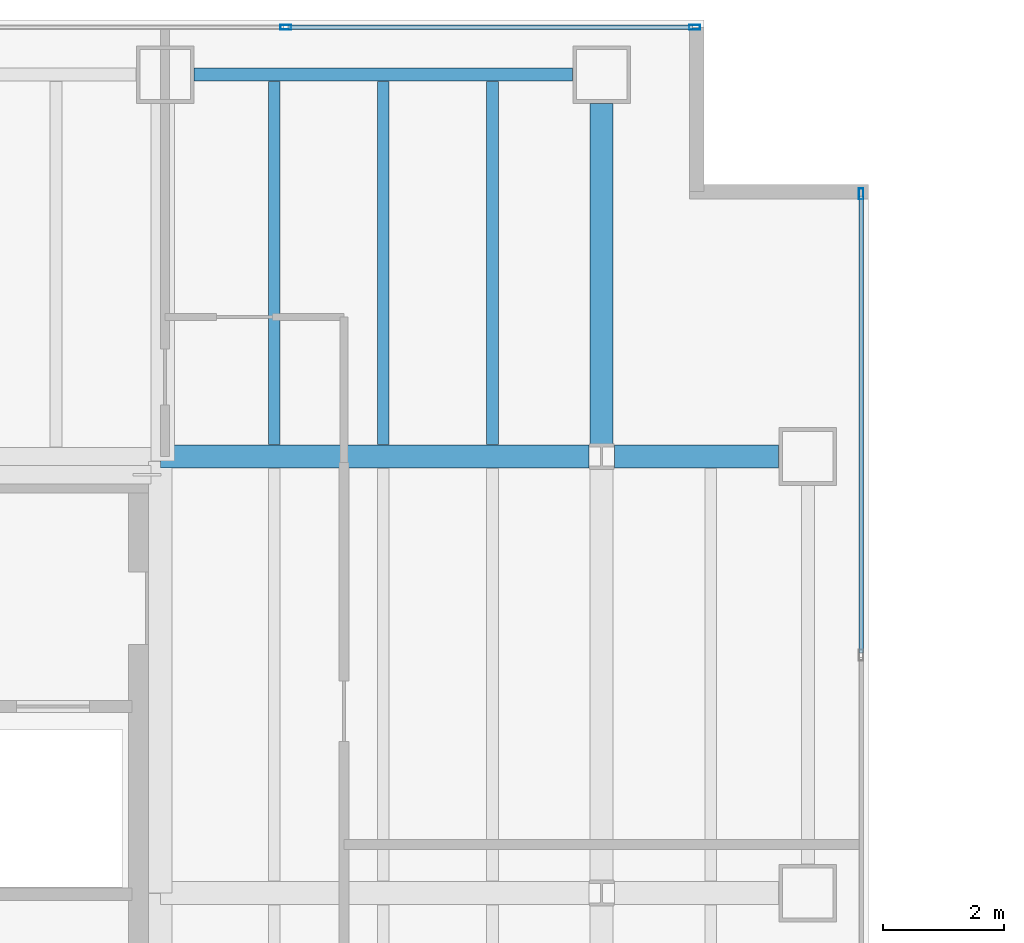
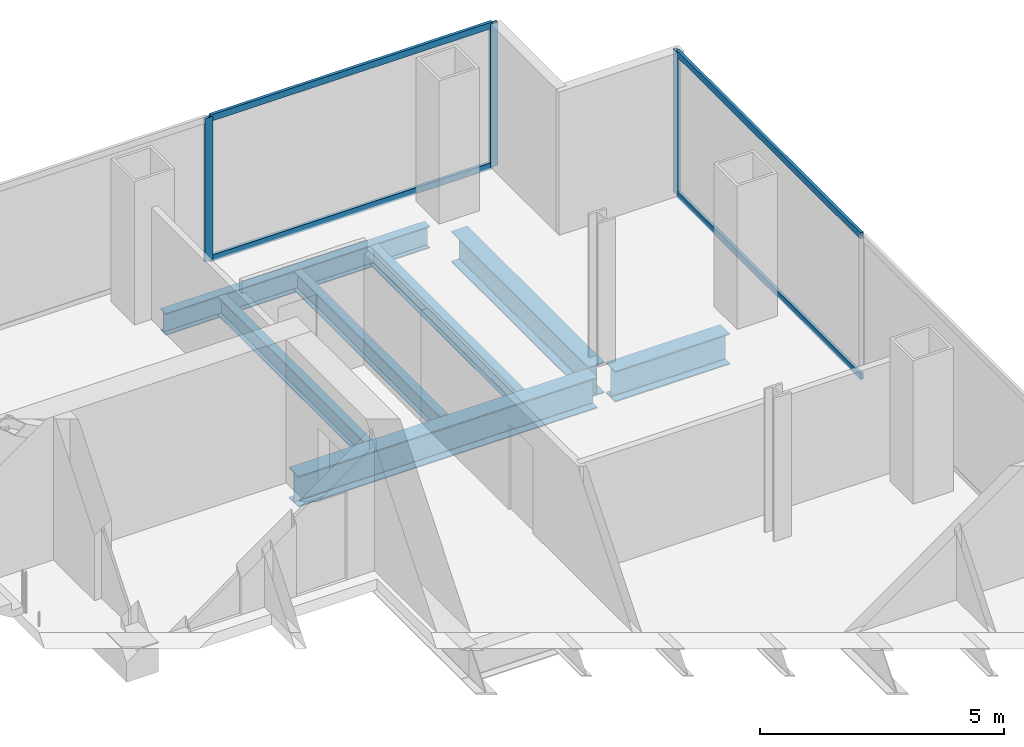
# One storey, part 18 of 23: 7 beams, 7 members, 2 elements without a shape of their own.
"""IFC4 building model written with IfcOpenShell, lengths in metres."""

from ifc_helpers import new_model, si_unit, direction, frame, origin, origin_2d, place, context, subcontext, project, spatial, hollow_rectangle, i_section, extrude, material, material_profile, profile_set, type_object, element, aggregate, save


model = new_model("IFC4")

# Units and contexts
model_context = context("Model", 3, precision=1e-05, world=origin(), true_north=direction((0.0, 1.0)))
body_context = subcontext(model_context, "Body", "Model", "MODEL_VIEW")
ifc_project = project(units=[si_unit("LENGTHUNIT", "METRE"), si_unit("AREAUNIT", "SQUARE_METRE"), si_unit("VOLUMEUNIT", "CUBIC_METRE"), si_unit("PLANEANGLEUNIT", "RADIAN"), si_unit("MASSUNIT", "GRAM", prefix="KILO")], contexts=[model_context])

# Site, building, storey
site_placement = place(None, origin())
site = spatial("IfcSite", under=ifc_project, at=site_placement, CompositionType="ELEMENT")
building_placement = place(site_placement, origin())
building = spatial("IfcBuilding", under=site, at=building_placement, Name="Cobrela Telecom Tower", CompositionType="ELEMENT")
storey_placement = place(building_placement, frame((0.0, 0.0, 109.89990234375)))
storey = spatial("IfcBuildingStorey", under=building, at=storey_placement, Name="L27", CompositionType="ELEMENT", Elevation=109.89990234375)

# Beams
ifc_material_1 = material(Name="Steel ASTM A992 Grade 50", Category="steel")
ifc_material_profile_1 = material_profile(ifc_material_1, i_section(OverallWidth=0.381103515625, OverallDepth=0.77197265625, WebThickness=0.0166015625, FlangeThickness=0.027099609375, FilletRadius=0.01904296875, at=origin_2d()), Name="W30X173")
ifc_profile_set_1 = profile_set([ifc_material_profile_1], Name="Steel ASTM A992 Grade 50")
beam_type_1 = type_object("IfcBeamType", Name="BM-GIRD-04", PredefinedType="USERDEFINED", material=ifc_profile_set_1)
beam_1_placement = place(storey_placement, frame((14.324951171875, 36.0, -0.656005859375), z_axis=(1.0, 0.0, 0.0), x_axis=(0.0, 1.0, 0.0)))
element("IfcBeam", 1, at=beam_1_placement, inside=storey, type_object=beam_type_1, Name="L27 Primary Girder X27", ObjectType="GIRDER", PredefinedType="USERDEFINED", context=body_context, shape_type="SweptSolid", body=[
    extrude(i_section(OverallWidth=0.381103515625, OverallDepth=0.77197265625, WebThickness=0.0166015625, FlangeThickness=0.027099609375, FilletRadius=0.01904296875, at=origin_2d()), origin(), (0.0, 0.0, 1.0), 7.0654296875),
])
beam_2_placement = place(storey_placement, frame((21.8095703125, 36.0, -0.656005859375), z_axis=(1.0, 0.0, 0.0), x_axis=(0.0, 1.0, 0.0)))
element("IfcBeam", 2, at=beam_2_placement, inside=storey, type_object=beam_type_1, Name="L27 Primary Girder X28", ObjectType="GIRDER", PredefinedType="USERDEFINED", context=body_context, shape_type="SweptSolid", body=[
    extrude(i_section(OverallWidth=0.381103515625, OverallDepth=0.77197265625, WebThickness=0.0166015625, FlangeThickness=0.027099609375, FilletRadius=0.01904296875, at=origin_2d()), origin(), (0.0, 0.0, 1.0), 2.71044921875),
])
beam_3_placement = place(storey_placement, frame((21.60009765625, 36.20947265625, -0.656005859375), z_axis=(0.0, 1.0, 0.0), x_axis=(-1.0, 0.0, 0.0)))
element("IfcBeam", 3, at=beam_3_placement, inside=storey, type_object=beam_type_1, Name="L27 Primary Girder Y44", ObjectType="GIRDER", PredefinedType="USERDEFINED", context=body_context, shape_type="SweptSolid", body=[
    extrude(i_section(OverallWidth=0.381103515625, OverallDepth=0.77197265625, WebThickness=0.0166015625, FlangeThickness=0.027099609375, FilletRadius=0.01904296875, at=origin_2d()), origin(), (0.0, 0.0, 1.0), 5.610595703125),
])
ifc_material_profile_2 = material_profile(ifc_material_1, i_section(OverallWidth=0.193115234375, OverallDepth=0.467041015625, WebThickness=0.011474609375, FlangeThickness=0.01904296875, FilletRadius=0.012939453125, at=origin_2d()), Name="W18X65")
ifc_profile_set_2 = profile_set([ifc_material_profile_2], Name="Steel ASTM A992 Grade 50")
beam_type_2 = type_object("IfcBeamType", Name="BM-JOIST-03", PredefinedType="JOIST", material=ifc_profile_set_2)
for number, where, z_axis, x_axis, name in (
    (4, (16.199951171875, 36.195556640625, -0.50341796875), (0.0, 1.0, 0.0), (-1.0, 0.0, 0.0), "L27 Secondary Composite Floor Beam J08"),
    (5, (18.0, 36.195556640625, -0.50341796875), (0.0, 1.0, 0.0), (-1.0, 0.0, 0.0), "L27 Secondary Composite Floor Beam J13"),
    (6, (19.800048828125, 36.195556640625, -0.50341796875), (0.0, 1.0, 0.0), (-1.0, 0.0, 0.0), "L27 Secondary Composite Floor Beam J18"),
):
    element("IfcBeam", number, at=place(storey_placement, frame(where, z_axis=z_axis, x_axis=x_axis)), inside=storey, type_object=beam_type_2, Name=name, PredefinedType="JOIST", context=body_context, shape_type="SweptSolid", body=[
        extrude(i_section(OverallWidth=0.193115234375, OverallDepth=0.467041015625, WebThickness=0.011474609375, FlangeThickness=0.01904296875, FilletRadius=0.012939453125, at=origin_2d()), origin(), (0.0, 0.0, 1.0), 5.992919921875),
    ])
ifc_material_profile_3 = material_profile(ifc_material_1, i_section(OverallWidth=0.212890625, OverallDepth=0.549072265625, WebThickness=0.0146484375, FlangeThickness=0.023681640625, FilletRadius=0.013916015625, at=origin_2d()), Name="W21X93")
ifc_profile_set_3 = profile_set([ifc_material_profile_3], Name="Steel ASTM A992 Grade 50")
beam_type_3 = type_object("IfcBeamType", Name="BM-SPAND-03", PredefinedType="SPANDREL", material=ifc_profile_set_3)
beam_4_placement = place(storey_placement, frame((14.8798828125, 42.300048828125, -0.54443359375), z_axis=(1.0, 0.0, 0.0), x_axis=(0.0, 1.0, 0.0)))
element("IfcBeam", 7, at=beam_4_placement, inside=storey, type_object=beam_type_3, Name="L27 Perimeter Spandrel X30", PredefinedType="SPANDREL", context=body_context, shape_type="SweptSolid", body=[
    extrude(i_section(OverallWidth=0.212890625, OverallDepth=0.549072265625, WebThickness=0.0146484375, FlangeThickness=0.023681640625, FilletRadius=0.013916015625, at=origin_2d()), origin(), (0.0, 0.0, 1.0), 6.240234375),
])

# Curtain wall, members
ifc_material_2 = material(Name="Anodized Bronze Aluminium 6063-T6", Category="aluminium")
curtain_wall_type = type_object("IfcCurtainWallType", Name="CW-SYS-TEL", PredefinedType="USERDEFINED", material=ifc_material_2)
curtain_wall_1_placement = place(storey_placement, origin())
curtain_wall_1 = element("IfcCurtainWall", 8, at=curtain_wall_1_placement, inside=storey, type_object=curtain_wall_type, Name="L27 Unitised Bronze Curtain Wall 07", ObjectType="UNITISED CURTAIN WALL", PredefinedType="USERDEFINED")
ifc_material_profile_4 = material_profile(ifc_material_2, hollow_rectangle(XDim=0.074951171875, YDim=0.179931640625, WallThickness=0.00390625, at=origin_2d()), Name="ALU 75x180x4")
ifc_profile_set_4 = profile_set([ifc_material_profile_4], Name="Anodized Bronze Aluminium 6063-T6")
member_type_1 = type_object("IfcMemberType", Name="CW-SYS-TEL-MUL", PredefinedType="MULLION", material=ifc_profile_set_4)
member_1_placement = place(storey_placement, frame((16.389892578125, 43.080078125, 0.0), z_axis=(0.0, 0.0, 1.0), x_axis=(0.0, 1.0, 0.0)))
member_1 = element("IfcMember", 9, at=member_1_placement, type_object=member_type_1, Name="CW-TEL mullion 3", PredefinedType="MULLION", context=body_context, shape_type="SweptSolid", body=[
    extrude(hollow_rectangle(XDim=0.074951171875, YDim=0.179931640625, WallThickness=0.00390625, at=origin_2d()), origin(), (0.0, 0.0, 1.0), 3.580078125),
])
member_2_placement = place(storey_placement, frame((23.132568359375, 43.080078125, 0.0), z_axis=(0.0, 0.0, 1.0), x_axis=(0.0, 1.0, 0.0)))
member_2 = element("IfcMember", 10, at=member_2_placement, type_object=member_type_1, Name="CW-TEL mullion 4", PredefinedType="MULLION", context=body_context, shape_type="SweptSolid", body=[
    extrude(hollow_rectangle(XDim=0.074951171875, YDim=0.179931640625, WallThickness=0.00390625, at=origin_2d()), origin(), (0.0, 0.0, 1.0), 3.580078125),
])

# Curtain wall, member
curtain_wall_2_placement = place(storey_placement, origin())
curtain_wall_2 = element("IfcCurtainWall", 11, at=curtain_wall_2_placement, inside=storey, type_object=curtain_wall_type, Name="L27 Unitised Bronze Curtain Wall 10", ObjectType="UNITISED CURTAIN WALL", PredefinedType="USERDEFINED")
member_3_placement = place(storey_placement, frame((25.8798828125, 40.33251953125, 0.0), z_axis=(0.0, 0.0, 1.0), x_axis=(1.0, 0.0, 0.0)))
member_3 = element("IfcMember", 12, at=member_3_placement, type_object=member_type_1, Name="CW-TEL mullion 1", PredefinedType="MULLION", context=body_context, shape_type="SweptSolid", body=[
    extrude(hollow_rectangle(XDim=0.074951171875, YDim=0.179931640625, WallThickness=0.00390625, at=origin_2d()), origin(), (0.0, 0.0, 1.0), 3.580078125),
])

# Member
ifc_material_profile_5 = material_profile(ifc_material_2, hollow_rectangle(XDim=0.070068359375, YDim=0.159912109375, WallThickness=0.00390625, at=origin_2d()), Name="ALU 70x160x4")
ifc_profile_set_5 = profile_set([ifc_material_profile_5], Name="Anodized Bronze Aluminium 6063-T6")
member_type_2 = type_object("IfcMemberType", Name="CW-SYS-TEL-TRN", PredefinedType="USERDEFINED", material=ifc_profile_set_5)
member_4_placement = place(storey_placement, frame((16.427490234375, 43.080078125, 0.03515625), z_axis=(1.0, 0.0, 0.0), x_axis=(0.0, 1.0, 0.0)))
member_4 = element("IfcMember", 13, at=member_4_placement, type_object=member_type_2, Name="CW-TEL transom 3.1", ObjectType="TRANSOM", PredefinedType="USERDEFINED", context=body_context, shape_type="SweptSolid", body=[
    extrude(hollow_rectangle(XDim=0.070068359375, YDim=0.159912109375, WallThickness=0.00390625, at=origin_2d()), origin(), (0.0, 0.0, 1.0), 6.66748046875),
])

member_5_placement = place(storey_placement, frame((16.427490234375, 43.080078125, 3.545166015625), z_axis=(1.0, 0.0, 0.0), x_axis=(0.0, 1.0, 0.0)))
member_5 = element("IfcMember", 14, at=member_5_placement, type_object=member_type_2, Name="CW-TEL transom 3.2", ObjectType="TRANSOM", PredefinedType="USERDEFINED", context=body_context, shape_type="SweptSolid", body=[
    extrude(hollow_rectangle(XDim=0.070068359375, YDim=0.159912109375, WallThickness=0.00390625, at=origin_2d()), origin(), (0.0, 0.0, 1.0), 6.66748046875),
])

aggregate(curtain_wall_1, [member_1, member_2, member_4, member_5])

member_6_placement = place(storey_placement, frame((25.8798828125, 40.294921875, 0.03515625), z_axis=(0.0, -1.0, 0.0), x_axis=(1.0, 0.0, 0.0)))
member_6 = element("IfcMember", 15, at=member_6_placement, type_object=member_type_2, Name="CW-TEL transom 1.1", ObjectType="TRANSOM", PredefinedType="USERDEFINED", context=body_context, shape_type="SweptSolid", body=[
    extrude(hollow_rectangle(XDim=0.070068359375, YDim=0.159912109375, WallThickness=0.00390625, at=origin_2d()), origin(), (0.0, 0.0, 1.0), 7.532470703125),
])

member_7_placement = place(storey_placement, frame((25.8798828125, 40.294921875, 3.545166015625), z_axis=(0.0, -1.0, 0.0), x_axis=(1.0, 0.0, 0.0)))
member_7 = element("IfcMember", 16, at=member_7_placement, type_object=member_type_2, Name="CW-TEL transom 1.2", ObjectType="TRANSOM", PredefinedType="USERDEFINED", context=body_context, shape_type="SweptSolid", body=[
    extrude(hollow_rectangle(XDim=0.070068359375, YDim=0.159912109375, WallThickness=0.00390625, at=origin_2d()), origin(), (0.0, 0.0, 1.0), 7.532470703125),
])

aggregate(curtain_wall_2, [member_3, member_6, member_7])

save(model, "model.ifc")
